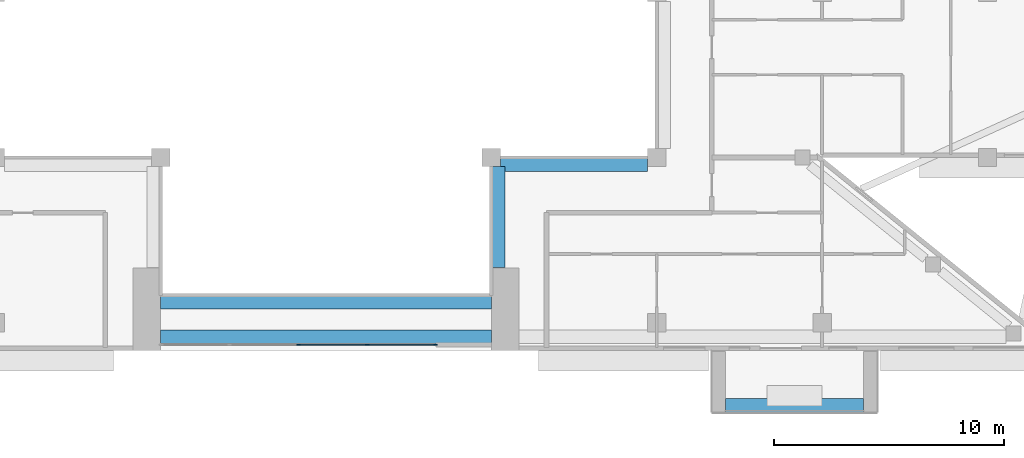
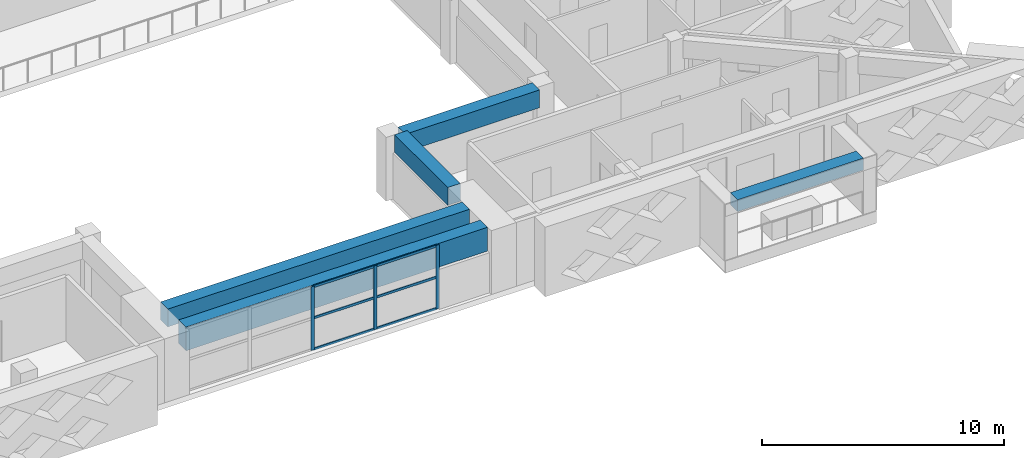
# One storey, part 4 of 19: 9 members, 5 beams, 1 element without a shape of its own.
"""IFC4 building model written with IfcOpenShell, lengths in metres."""

import ifcopenshell
import ifcopenshell.guid

model = None  # the IFC model being written
_history = None  # IfcOwnerHistory: only IFC2X3 demands one
_inside = {}  # id of a spatial element -> (the spatial element, [elements in it])
_under = {}  # id of a project, library or spatial element -> (it, [spatial elements below it])
_declared = {}  # id of a project -> (the project, [libraries it declares])
_typed = {}  # id of a type object -> (the type object, [elements of that type])
_made_of = {}  # id of a material, layer set ... -> (it, [elements and type objects made of it])


def new_model(schema):
    """Start an empty IFC model of exactly this schema.

    Asked for "IFC4X3", IfcOpenShell would pick the latest addendum, in which some entities
    have other attributes; the version numbers below select the first issue.
    IFC2X3 requires an IfcOwnerHistory on every rooted entity: one is made here for all.
    """
    global model, _history
    if schema == "IFC4X3":
        model = ifcopenshell.file(schema_version=(4, 3, 0, 0))
    else:
        model = ifcopenshell.file(schema=schema)
    _inside.clear()
    _under.clear()
    _declared.clear()
    _typed.clear()
    _made_of.clear()
    _history = None
    if model.schema == "IFC2X3":
        org = make("IfcOrganization", Name="unknown")
        user = make(
            "IfcPersonAndOrganization",
            ThePerson=make("IfcPerson", FamilyName="unknown"),
            TheOrganization=org,
        )
        app = make(
            "IfcApplication",
            ApplicationDeveloper=org,
            Version="unknown",
            ApplicationFullName="unknown",
            ApplicationIdentifier="unknown",
        )
        _history = make(
            "IfcOwnerHistory",
            OwningUser=user,
            OwningApplication=app,
            ChangeAction="ADDED",
            CreationDate=0,
        )
    return model


def make(cls, **values):
    """One entity of the class cls with the attributes given. An attribute that is None is left unset."""
    return model.create_entity(
        cls, **{name: value for name, value in values.items() if value is not None}
    )


def rooted(cls, **values):
    """An entity with a GlobalId (a new one), such as an element, a storey or a relation."""
    return make(cls, GlobalId=ifcopenshell.guid.new(), OwnerHistory=_history, **values)


def si_unit(unit_type, name, prefix=None):
    """IfcSIUnit, for example si_unit("LENGTHUNIT", "METRE", prefix="MILLI")."""
    return make("IfcSIUnit", UnitType=unit_type, Prefix=prefix, Name=name)


def assignment(units):
    """IfcUnitAssignment: the units of a project."""
    return None if units is None else make("IfcUnitAssignment", Units=units)


def point(xyz):
    """IfcCartesianPoint."""
    return None if xyz is None else make("IfcCartesianPoint", Coordinates=xyz)


def direction(xyz):
    """IfcDirection."""
    return None if xyz is None else make("IfcDirection", DirectionRatios=xyz)


def frame(location, z_axis=None, x_axis=None):
    """IfcAxis2Placement3D, a coordinate frame: its origin and axes. An axis left out is left unset."""
    return make(
        "IfcAxis2Placement3D",
        Location=point(location),
        Axis=direction(z_axis),
        RefDirection=direction(x_axis),
    )


def frame_2d(location, x_axis=None):
    """IfcAxis2Placement2D, a coordinate frame in the plane: its origin and x axis."""
    return make(
        "IfcAxis2Placement2D", Location=point(location), RefDirection=direction(x_axis)
    )


def origin():
    """The frame at (0, 0, 0) with its axes left unset."""
    return frame((0.0, 0.0, 0.0))


def origin_2d():
    """The frame at (0, 0) in the plane with its x axis left unset."""
    return frame_2d((0.0, 0.0))


def place(relative_to, where):
    """IfcLocalPlacement: puts the frame where relative to a parent placement (None: the world)."""
    return make(
        "IfcLocalPlacement", PlacementRelTo=relative_to, RelativePlacement=where
    )


def context(
    kind, dimensions, precision=None, world=None, true_north=None, identifier=None
):
    """IfcGeometricRepresentationContext, for example the 3D "Model" context."""
    return make(
        "IfcGeometricRepresentationContext",
        ContextIdentifier=identifier,
        ContextType=kind,
        CoordinateSpaceDimension=dimensions,
        Precision=precision,
        WorldCoordinateSystem=world,
        TrueNorth=true_north,
    )


def subcontext(parent, identifier, kind, view, scale=None):
    """IfcGeometricRepresentationSubContext, for example "Body" below "Model"."""
    return make(
        "IfcGeometricRepresentationSubContext",
        ContextIdentifier=identifier,
        ContextType=kind,
        ParentContext=parent,
        TargetScale=scale,
        TargetView=view,
    )


def project(units=None, contexts=None):
    """IfcProject with its units and contexts."""
    return rooted(
        "IfcProject",
        Name="project",
        RepresentationContexts=contexts,
        UnitsInContext=assignment(units),
    )


def spatial(cls, under=None, at=None, **own):
    """A site, building, storey or space (cls), placed at a placement, below another one or the project."""
    s = rooted(cls, ObjectPlacement=at, **own)
    if under is not None:
        _under.setdefault(under.id(), (under, []))[1].append(s)
    return s


def profile(cls, at=None, kind="AREA", **sizes):
    """A parametric profile (cls). Its sizes go by their IFC names, for example OverallWidth=200.0."""
    return make(cls, ProfileType=kind, Position=at, **sizes)


def rectangle(**sizes):
    """IfcRectangleProfileDef."""
    return profile("IfcRectangleProfileDef", **sizes)


def extrude(swept, where, along, depth):
    """IfcExtrudedAreaSolid: the profile swept, set in the frame where, extruded along a direction by depth."""
    return make(
        "IfcExtrudedAreaSolid",
        SweptArea=swept,
        Position=where,
        ExtrudedDirection=direction(along),
        Depth=depth,
    )


def shape(context_of_items, identifier, shape_type, items):
    """IfcShapeRepresentation: the items that make up one representation, for example the "Body"."""
    return make(
        "IfcShapeRepresentation",
        ContextOfItems=context_of_items,
        RepresentationIdentifier=identifier,
        RepresentationType=shape_type,
        Items=items,
    )


def source(mapping_origin, context_of_items, identifier, shape_type, items):
    """IfcRepresentationMap: a shape defined once, which mapped items show again and again."""
    return make(
        "IfcRepresentationMap",
        MappingOrigin=mapping_origin,
        MappedRepresentation=shape(context_of_items, identifier, shape_type, items),
    )


def transform(
    local_origin,
    x_axis=None,
    y_axis=None,
    z_axis=None,
    scale=None,
    scale2=None,
    scale3=None,
    uniform=True,
):
    """IfcCartesianTransformationOperator3D, or its non-uniform kind. x_axis, y_axis, z_axis: its Axis1, 2, 3."""
    if uniform:
        return make(
            "IfcCartesianTransformationOperator3D",
            Axis1=direction(x_axis),
            Axis2=direction(y_axis),
            LocalOrigin=point(local_origin),
            Scale=scale,
            Axis3=direction(z_axis),
        )
    return make(
        "IfcCartesianTransformationOperator3DnonUniform",
        Axis1=direction(x_axis),
        Axis2=direction(y_axis),
        LocalOrigin=point(local_origin),
        Scale=scale,
        Axis3=direction(z_axis),
        Scale2=scale2,
        Scale3=scale3,
    )


def mapped(mapping_source, mapping_target):
    """IfcMappedItem: shows the shape of a source again, moved by a transform."""
    return make(
        "IfcMappedItem", MappingSource=mapping_source, MappingTarget=mapping_target
    )


def material(Name=None, Category=None):
    """IfcMaterial."""
    return make("IfcMaterial", Name=Name, Category=Category)


def layer(
    of_material, thickness, ventilated=None, Name=None, Category=None, Priority=None
):
    """IfcMaterialLayer: one layer of a wall or slab, of a material (None: an air gap)."""
    return make(
        "IfcMaterialLayer",
        Material=of_material,
        LayerThickness=thickness,
        IsVentilated=ventilated,
        Name=Name,
        Category=Category,
        Priority=Priority,
    )


def layer_set(layers, Name=None):
    """IfcMaterialLayerSet."""
    return make("IfcMaterialLayerSet", MaterialLayers=layers, LayerSetName=Name)


def material_profile(
    of_material, cross_section, Name=None, Category=None, Priority=None
):
    """IfcMaterialProfile: a cross section and its material."""
    return make(
        "IfcMaterialProfile",
        Name=Name,
        Material=of_material,
        Profile=cross_section,
        Priority=Priority,
        Category=Category,
    )


def profile_set(profiles, Name=None, composite=None):
    """IfcMaterialProfileSet."""
    return make(
        "IfcMaterialProfileSet",
        Name=Name,
        MaterialProfiles=profiles,
        CompositeProfile=composite,
    )


def made_of(thing, what):
    """Note that an element or type object is made of a material, layer set ...; save() writes the relation."""
    if what is not None:
        _made_of.setdefault(what.id(), (what, []))[1].append(thing)
    return thing


def type_object(cls, material=None, **own):
    """A type object (cls), such as IfcWallType, which elements share."""
    return made_of(rooted(cls, **own), material)


def element(
    cls,
    number,
    at=None,
    inside=None,
    cuts=None,
    type_object=None,
    material=None,
    context=None,
    identifier="Body",
    shape_type=None,
    held_by="IfcProductDefinitionShape",
    body=None,
    shapes=None,
    **own,
):
    """One element of the class cls, such as IfcWall. Its Tag is "e" and its number.

    at: its placement. inside: the storey or other place that contains it. cuts: it is an
    opening in that element (IfcRelVoidsElement). A single representation is given by context,
    identifier, shape_type and body (its items); several are given by shapes. held_by: the class
    of the entity that holds the representations. save() writes the other relations.
    """
    e = rooted(cls, Tag="e%d" % number, ObjectPlacement=at, **own)
    if body is not None:
        shapes = [shape(context, identifier, shape_type, body)]
    if shapes is not None:
        e.Representation = make(held_by, Representations=shapes)
    if inside is not None:
        _inside.setdefault(inside.id(), (inside, []))[1].append(e)
    if cuts is not None:
        rooted(
            "IfcRelVoidsElement", RelatingBuildingElement=cuts, RelatedOpeningElement=e
        )
    if type_object is not None:
        _typed.setdefault(type_object.id(), (type_object, []))[1].append(e)
    return made_of(e, material)


def aggregate(whole, parts):
    """IfcRelAggregates: a whole, such as a stair, and the parts it consists of."""
    return rooted("IfcRelAggregates", RelatingObject=whole, RelatedObjects=parts)


def save(model, path):
    """Write the relations noted so far, then the file.

    IfcRelAggregates (storeys below a building ...), IfcRelContainedInSpatialStructure (elements
    in a storey), IfcRelDefinesByType, IfcRelAssociatesMaterial and IfcRelDeclares: one each for
    every whole, place, type object, material and project.
    """
    for whole, parts in _under.values():
        aggregate(whole, parts)
    for where, things in _inside.values():
        rooted(
            "IfcRelContainedInSpatialStructure",
            RelatedElements=things,
            RelatingStructure=where,
        )
    for kind, things in _typed.values():
        rooted("IfcRelDefinesByType", RelatedObjects=things, RelatingType=kind)
    for what, things in _made_of.values():
        rooted("IfcRelAssociatesMaterial", RelatedObjects=things, RelatingMaterial=what)
    for by, libraries in _declared.values():
        rooted("IfcRelDeclares", RelatingContext=by, RelatedDefinitions=libraries)
    model.write(path)


model = new_model("IFC4")

# Units and contexts
model_context = context("Model", 3, precision=1e-05, world=origin(), true_north=direction((0.0, 1.0)))
body_context = subcontext(model_context, "Body", "Model", "MODEL_VIEW")
ifc_project = project(units=[si_unit("LENGTHUNIT", "METRE"), si_unit("AREAUNIT", "SQUARE_METRE"), si_unit("VOLUMEUNIT", "CUBIC_METRE"), si_unit("PLANEANGLEUNIT", "RADIAN"), si_unit("MASSUNIT", "GRAM", prefix="KILO")], contexts=[model_context])

# Site, building, storey
site_placement = place(None, origin())
site = spatial("IfcSite", under=ifc_project, at=site_placement, CompositionType="ELEMENT")
building_placement = place(site_placement, origin())
building = spatial("IfcBuilding", under=site, at=building_placement, Name="Saffron Iwan Residences", CompositionType="ELEMENT")
storey_placement = place(building_placement, frame((0.0, 0.0, 236.0)))
storey = spatial("IfcBuildingStorey", under=building, at=storey_placement, Name="L63", CompositionType="ELEMENT", Elevation=236.0)

# Beams
ifc_material_1 = material(Name="Concrete C40/50", Category="concrete")
ifc_material_profile_1 = material_profile(ifc_material_1, rectangle(XDim=0.60009765625, YDim=1.199951171875, at=origin_2d()), Name="RC 600x1200")
ifc_profile_set_1 = profile_set([ifc_material_profile_1], Name="Concrete C40/50")
beam_type_1 = type_object("IfcBeamType", Name="LINTEL BEAM RC 600x1200 C40/50 TOP 3220", PredefinedType="LINTEL", material=ifc_profile_set_1)
shared_shape_1 = source(origin(), body_context, "Body", "SweptSolid", [
    extrude(rectangle(XDim=0.60009765625, YDim=1.199951171875, at=origin_2d()), origin(), (0.0, 0.0, 1.0), 14.400146484375),
])
beam_1_placement = place(storey_placement, frame((57.60009765625, 40.199951171875, 2.6201171875), z_axis=(-1.0, 0.0, 0.0), x_axis=(0.0, -1.0, 0.0)))
element("IfcBeam", 1, at=beam_1_placement, inside=storey, type_object=beam_type_1, Name="Lintel beam over the iwan", PredefinedType="LINTEL", context=body_context, shape_type="MappedRepresentation", body=[
    mapped(shared_shape_1, transform((0.0, 0.0, 0.0))),
])
ifc_material_profile_2 = material_profile(ifc_material_1, rectangle(XDim=0.60009765625, YDim=0.89990234375, at=origin_2d()), Name="RC 600x900")
ifc_profile_set_2 = profile_set([ifc_material_profile_2], Name="Concrete C40/50")
beam_type_2 = type_object("IfcBeamType", Name="BEAM RC 600x900 C40/50 TOP 3220", PredefinedType="BEAM", material=ifc_profile_set_2)
shared_shape_2 = source(origin(), body_context, "Body", "SweptSolid", [
    extrude(rectangle(XDim=0.60009765625, YDim=0.89990234375, at=origin_2d()), origin(), (0.0, 0.0, 1.0), 14.400146484375),
])
beam_2_placement = place(storey_placement, frame((57.60009765625, 41.699951171875, 2.77001953125), z_axis=(-1.0, 0.0, 0.0), x_axis=(0.0, -1.0, 0.0)))
element("IfcBeam", 2, at=beam_2_placement, inside=storey, type_object=beam_type_2, Name="Atrium edge beam", PredefinedType="BEAM", context=body_context, shape_type="MappedRepresentation", body=[
    mapped(shared_shape_2, transform((0.0, 0.0, 0.0))),
])
shared_shape_3 = source(origin(), body_context, "Body", "SweptSolid", [
    extrude(rectangle(XDim=0.60009765625, YDim=0.89990234375, at=origin_2d()), origin(), (0.0, 0.0, 1.0), 4.400146484375),
])
beam_3_placement = place(storey_placement, frame((57.89990234375, 47.60009765625, 2.77001953125), z_axis=(0.0, -1.0, 0.0), x_axis=(1.0, 0.0, 0.0)))
element("IfcBeam", 3, at=beam_3_placement, inside=storey, type_object=beam_type_2, Name="Atrium edge beam", PredefinedType="BEAM", context=body_context, shape_type="MappedRepresentation", body=[
    mapped(shared_shape_3, transform((0.0, 0.0, 0.0))),
])
shared_shape_4 = source(origin(), body_context, "Body", "SweptSolid", [
    extrude(rectangle(XDim=0.60009765625, YDim=0.89990234375, at=origin_2d()), origin(), (0.0, 0.0, 1.0), 6.39990234375),
])
beam_4_placement = place(storey_placement, frame((64.39990234375, 47.699951171875, 2.77001953125), z_axis=(-1.0, 0.0, 0.0), x_axis=(0.0, -1.0, 0.0)))
element("IfcBeam", 4, at=beam_4_placement, inside=storey, type_object=beam_type_2, Name="Atrium edge beam", PredefinedType="BEAM", context=body_context, shape_type="MappedRepresentation", body=[
    mapped(shared_shape_4, transform((0.0, 0.0, 0.0))),
])

# Curtain wall, members
ifc_material_2 = material(Name="Clear glass, laminated double glazed", Category="glass")
ifc_layer = layer(ifc_material_2, 0.199951171875)
ifc_layer_set = layer_set([ifc_layer], Name="Clear glass, laminated double glazed")
curtain_wall_type = type_object("IfcCurtainWallType", Name="CW-B IWAN PORTAL", PredefinedType="NOTDEFINED", material=ifc_layer_set)
curtain_wall_placement = place(storey_placement, origin())
curtain_wall = element("IfcCurtainWall", 5, at=curtain_wall_placement, inside=storey, type_object=curtain_wall_type, Name="Iwan portal glazing L63.1", PredefinedType="NOTDEFINED")
ifc_material_3 = material(Name="Aluminium 6063-T6", Category="aluminium")
ifc_material_profile_3 = material_profile(ifc_material_3, rectangle(XDim=0.06005859375, YDim=0.1201171875, at=origin_2d()), Name="CW-B TRANSOM 60 x 120")
ifc_profile_set_3 = profile_set([ifc_material_profile_3], Name="Aluminium 6063-T6")
member_type_1 = type_object("IfcMemberType", Name="CW-B TRANSOM 60 x 120", PredefinedType="USERDEFINED", material=ifc_profile_set_3)
shared_shape_5 = source(origin(), body_context, "Body", "SweptSolid", [
    extrude(rectangle(XDim=0.06005859375, YDim=0.1201171875, at=origin_2d()), origin(), (0.0, 0.0, 1.0), 2.909912109375),
])
member_1_placement = place(storey_placement, frame((52.22998046875, 39.85009765625, 0.030029296875), z_axis=(1.0, 0.0, 0.0), x_axis=(0.0, 1.0, 0.0)))
member_1 = element("IfcMember", 6, at=member_1_placement, type_object=member_type_1, Name="CW-B transom 4.1", ObjectType="TRANSOM", PredefinedType="USERDEFINED", context=body_context, shape_type="MappedRepresentation", body=[
    mapped(shared_shape_5, transform((0.0, 0.0, 0.0))),
])
member_2_placement = place(storey_placement, frame((52.22998046875, 39.85009765625, 1.610107421875), z_axis=(1.0, 0.0, 0.0), x_axis=(0.0, 1.0, 0.0)))
member_2 = element("IfcMember", 7, at=member_2_placement, type_object=member_type_1, Name="CW-B transom 4.2", ObjectType="TRANSOM", PredefinedType="USERDEFINED", context=body_context, shape_type="MappedRepresentation", body=[
    mapped(shared_shape_5, transform((0.0, 0.0, 0.0))),
])
member_3_placement = place(storey_placement, frame((52.22998046875, 39.85009765625, 3.18994140625), z_axis=(1.0, 0.0, 0.0), x_axis=(0.0, 1.0, 0.0)))
member_3 = element("IfcMember", 8, at=member_3_placement, type_object=member_type_1, Name="CW-B transom 4.3", ObjectType="TRANSOM", PredefinedType="USERDEFINED", context=body_context, shape_type="MappedRepresentation", body=[
    mapped(shared_shape_5, transform((0.0, 0.0, 0.0))),
])
shared_shape_6 = source(origin(), body_context, "Body", "SweptSolid", [
    extrude(rectangle(XDim=0.06005859375, YDim=0.1201171875, at=origin_2d()), origin(), (0.0, 0.0, 1.0), 2.93994140625),
])
member_4_placement = place(storey_placement, frame((49.22998046875, 39.85009765625, 0.030029296875), z_axis=(1.0, 0.0, 0.0), x_axis=(0.0, 1.0, 0.0)))
member_4 = element("IfcMember", 9, at=member_4_placement, type_object=member_type_1, Name="CW-B transom 3.1", ObjectType="TRANSOM", PredefinedType="USERDEFINED", context=body_context, shape_type="MappedRepresentation", body=[
    mapped(shared_shape_6, transform((0.0, 0.0, 0.0))),
])
member_5_placement = place(storey_placement, frame((49.22998046875, 39.85009765625, 1.610107421875), z_axis=(1.0, 0.0, 0.0), x_axis=(0.0, 1.0, 0.0)))
member_5 = element("IfcMember", 10, at=member_5_placement, type_object=member_type_1, Name="CW-B transom 3.2", ObjectType="TRANSOM", PredefinedType="USERDEFINED", context=body_context, shape_type="MappedRepresentation", body=[
    mapped(shared_shape_6, transform((0.0, 0.0, 0.0))),
])
member_6_placement = place(storey_placement, frame((49.22998046875, 39.85009765625, 3.18994140625), z_axis=(1.0, 0.0, 0.0), x_axis=(0.0, 1.0, 0.0)))
member_6 = element("IfcMember", 11, at=member_6_placement, type_object=member_type_1, Name="CW-B transom 3.3", ObjectType="TRANSOM", PredefinedType="USERDEFINED", context=body_context, shape_type="MappedRepresentation", body=[
    mapped(shared_shape_6, transform((0.0, 0.0, 0.0))),
])

# Beam
ifc_material_4 = material(Name="Concrete C50/60 white painted", Category="concrete")
ifc_material_profile_4 = material_profile(ifc_material_4, rectangle(XDim=0.60009765625, YDim=0.60009765625, at=origin_2d()), Name="BALCONY FASCIA BEAM 600 x 600")
ifc_profile_set_4 = profile_set([ifc_material_profile_4], Name="Concrete C50/60 white painted")
beam_type_3 = type_object("IfcBeamType", Name="BALCONY FASCIA BEAM 600 x 600", PredefinedType="BEAM", material=ifc_profile_set_4)
shared_shape_7 = source(origin(), body_context, "Body", "SweptSolid", [
    extrude(rectangle(XDim=0.60009765625, YDim=0.60009765625, at=origin_2d()), origin(), (0.0, 0.0, 1.0), 6.0),
])
beam_5_placement = place(storey_placement, frame((67.800048828125, 37.199951171875, 2.550048828125), z_axis=(1.0, 0.0, 0.0), x_axis=(0.0, 1.0, 0.0)))
element("IfcBeam", 12, at=beam_5_placement, inside=storey, type_object=beam_type_3, Name="Balcony fascia beam L63 11-1", PredefinedType="BEAM", context=body_context, shape_type="MappedRepresentation", body=[
    mapped(shared_shape_7, transform((0.0, 0.0, 0.0))),
])

# Member
ifc_material_profile_5 = material_profile(ifc_material_3, rectangle(XDim=0.06005859375, YDim=0.159912109375, at=origin_2d()), Name="CW-B MULLION 60 x 160")
ifc_profile_set_5 = profile_set([ifc_material_profile_5], Name="Aluminium 6063-T6")
member_type_2 = type_object("IfcMemberType", Name="CW-B MULLION 60 x 160", PredefinedType="MULLION", material=ifc_profile_set_5)
shared_shape_8 = source(origin(), body_context, "Body", "SweptSolid", [
    extrude(rectangle(XDim=0.06005859375, YDim=0.159912109375, at=origin_2d()), origin(), (0.0, 0.0, 1.0), 3.219970703125),
])
member_7_placement = place(storey_placement, frame((49.199951171875, 39.85009765625, 0.0), z_axis=(0.0, 0.0, 1.0), x_axis=(0.0, 1.0, 0.0)))
member_7 = element("IfcMember", 13, at=member_7_placement, type_object=member_type_2, Name="CW-B mullion 3", PredefinedType="MULLION", context=body_context, shape_type="MappedRepresentation", body=[
    mapped(shared_shape_8, transform((0.0, 0.0, 0.0))),
])

member_8_placement = place(storey_placement, frame((52.199951171875, 39.85009765625, 0.0), z_axis=(0.0, 0.0, 1.0), x_axis=(0.0, 1.0, 0.0)))
member_8 = element("IfcMember", 14, at=member_8_placement, type_object=member_type_2, Name="CW-B mullion 4", PredefinedType="MULLION", context=body_context, shape_type="MappedRepresentation", body=[
    mapped(shared_shape_8, transform((0.0, 0.0, 0.0))),
])

member_9_placement = place(storey_placement, frame((55.169921875, 39.85009765625, 0.0), z_axis=(0.0, 0.0, 1.0), x_axis=(0.0, 1.0, 0.0)))
member_9 = element("IfcMember", 15, at=member_9_placement, type_object=member_type_2, Name="CW-B mullion 5", PredefinedType="MULLION", context=body_context, shape_type="MappedRepresentation", body=[
    mapped(shared_shape_8, transform((0.0, 0.0, 0.0))),
])

aggregate(curtain_wall, [member_7, member_8, member_9, member_4, member_5, member_6, member_1, member_2, member_3])

save(model, "model.ifc")
